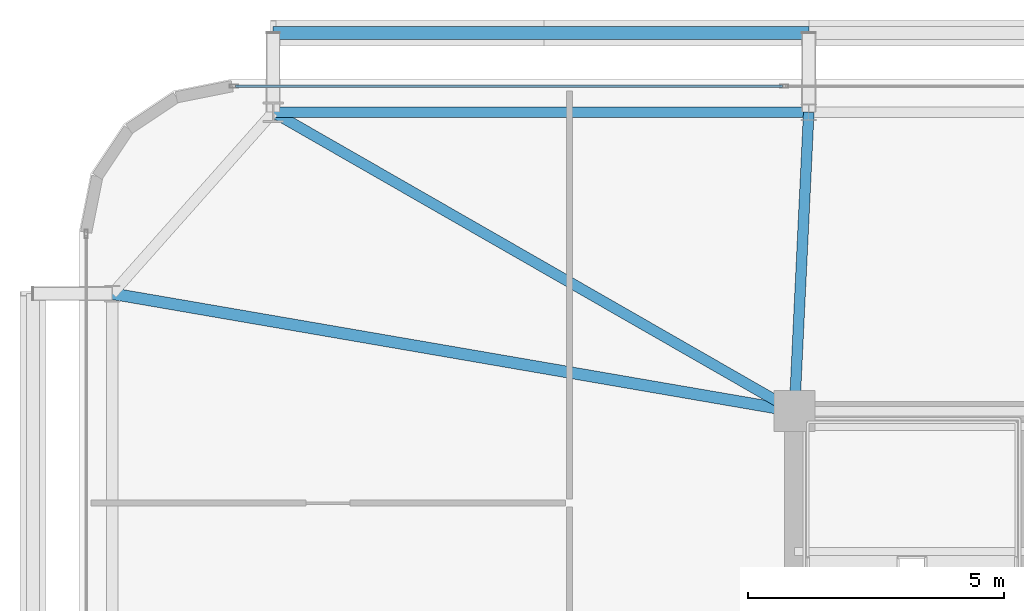
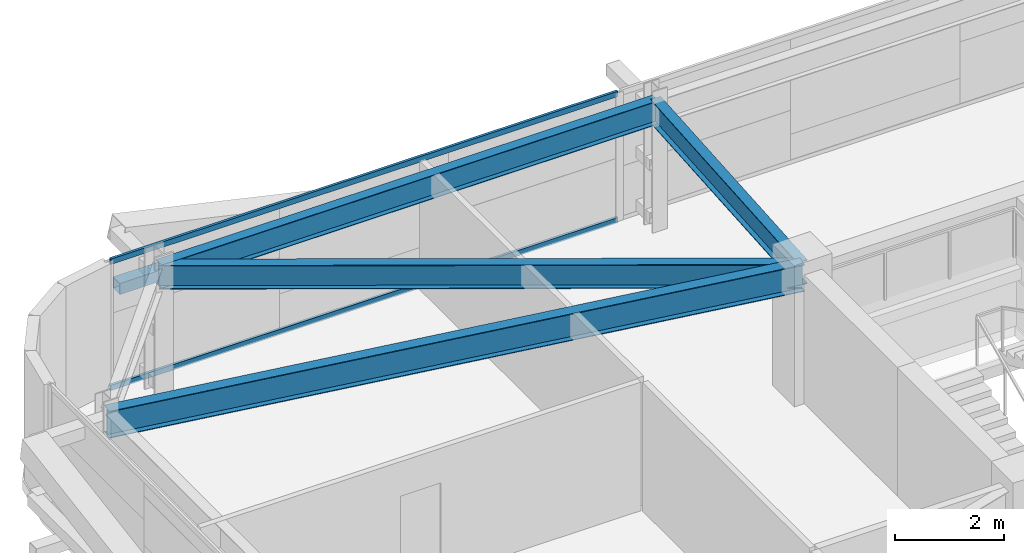
# One storey, part 22 of 45: 4 beams, 3 members, 1 element without a shape of its own.
"""IFC4 building model written with IfcOpenShell, lengths in metres."""

from ifc_helpers import new_model, si_unit, direction, frame, origin, origin_2d, place, context, subcontext, project, spatial, hollow_rectangle, i_section, extrude, source, transform, mapped, material, layer, layer_set, material_profile, profile_set, type_object, element, aggregate, save


model = new_model("IFC4")

# Units and contexts
model_context = context("Model", 3, precision=1e-05, world=origin(), true_north=direction((0.0, 1.0)))
body_context = subcontext(model_context, "Body", "Model", "MODEL_VIEW")
ifc_project = project(units=[si_unit("LENGTHUNIT", "METRE"), si_unit("AREAUNIT", "SQUARE_METRE"), si_unit("VOLUMEUNIT", "CUBIC_METRE"), si_unit("PLANEANGLEUNIT", "RADIAN"), si_unit("MASSUNIT", "GRAM", prefix="KILO")], contexts=[model_context])

# Site, building, storey
site_placement = place(None, origin())
site = spatial("IfcSite", under=ifc_project, at=site_placement, CompositionType="ELEMENT")
building_placement = place(site_placement, origin())
building = spatial("IfcBuilding", under=site, at=building_placement, Name="Taldren Reach Tower", CompositionType="ELEMENT")
storey_placement = place(building_placement, frame((0.0, 0.0, 57.75)))
storey = spatial("IfcBuildingStorey", under=building, at=storey_placement, Name="L17", CompositionType="ELEMENT", Elevation=57.75)

# Beams
ifc_material_1 = material(Name="Steel Gr 350 (350PLUS)", Category="steel")
ifc_material_profile_1 = material_profile(ifc_material_1, i_section(OverallWidth=0.208984375, OverallDepth=0.528076171875, WebThickness=0.009521484375, FlangeThickness=0.01318359375, at=origin_2d()), Name="530UB82.0")
ifc_profile_set_1 = profile_set([ifc_material_profile_1], Name="Steel Gr 350 (350PLUS)")
beam_type_1 = type_object("IfcBeamType", Name="SP-UB530B", PredefinedType="SPANDREL", material=ifc_profile_set_1)
shared_shape_1 = source(origin(), body_context, "Body", "SweptSolid", [
    extrude(i_section(OverallWidth=0.208984375, OverallDepth=0.528076171875, WebThickness=0.009521484375, FlangeThickness=0.01318359375, at=origin_2d()), origin(), (0.0, 0.0, 1.0), 10.47998046875),
])
beam_1_placement = place(storey_placement, frame((19.280029296875, 37.85009765625, 2.60595703125), z_axis=(-1.0, 0.0, 0.0), x_axis=(0.0, -1.0, 0.0)))
element("IfcBeam", 1, at=beam_1_placement, inside=storey, type_object=beam_type_1, Name="Perimeter spandrel B1 N2-N1 L17", PredefinedType="SPANDREL", context=body_context, shape_type="MappedRepresentation", body=[
    mapped(shared_shape_1, transform((0.0, 0.0, 0.0), scale=1.0)),
])
ifc_material_profile_2 = material_profile(ifc_material_1, i_section(OverallWidth=0.22802734375, OverallDepth=0.60205078125, WebThickness=0.010498046875, FlangeThickness=0.014892578125, at=origin_2d()), Name="610UB101")
ifc_profile_set_2 = profile_set([ifc_material_profile_2], Name="Steel Gr 350 (350PLUS)")
beam_type_2 = type_object("IfcBeamType", Name="BM-UB610B", PredefinedType="BEAM", material=ifc_profile_set_2)
shared_shape_2 = source(origin(), body_context, "Body", "SweptSolid", [
    extrude(i_section(OverallWidth=0.22802734375, OverallDepth=0.60205078125, WebThickness=0.010498046875, FlangeThickness=0.014892578125, at=origin_2d()), origin(), (0.0, 0.0, 1.0), 13.546875),
])
beam_2_placement = place(storey_placement, frame((19.0, 32.0, 2.569091796875), z_axis=(-0.985481022998, 0.169785609847, 0.0), x_axis=(-0.169785609847, -0.985481022998, 0.0)))
element("IfcBeam", 2, at=beam_2_placement, inside=storey, type_object=beam_type_2, Name="Primary floor girder B1-W3 L17", PredefinedType="BEAM", context=body_context, shape_type="MappedRepresentation", body=[
    mapped(shared_shape_2, transform((0.0, 0.0, 0.0), scale=1.0)),
])
ifc_material_profile_3 = material_profile(ifc_material_1, i_section(OverallWidth=0.208984375, OverallDepth=0.532958984375, WebThickness=0.01025390625, FlangeThickness=0.015625, at=origin_2d()), Name="530UB92.4")
ifc_profile_set_3 = profile_set([ifc_material_profile_3], Name="Steel Gr 350 (350PLUS)")
beam_type_3 = type_object("IfcBeamType", Name="BM-UB530A", PredefinedType="BEAM", material=ifc_profile_set_3)
shared_shape_3 = source(origin(), body_context, "Body", "SweptSolid", [
    extrude(i_section(OverallWidth=0.208984375, OverallDepth=0.532958984375, WebThickness=0.01025390625, FlangeThickness=0.015625, at=origin_2d()), origin(), (0.0, 0.0, 1.0), 11.758544921875),
])
beam_3_placement = place(storey_placement, frame((19.0, 32.0, 2.603515625), z_axis=(-0.867452414141, 0.497520159593, 0.0), x_axis=(-0.497520159593, -0.867452414141, 0.0)))
element("IfcBeam", 3, at=beam_3_placement, inside=storey, type_object=beam_type_3, Name="Primary floor girder B1-N1 L17", PredefinedType="BEAM", context=body_context, shape_type="MappedRepresentation", body=[
    mapped(shared_shape_3, transform((0.0, 0.0, 0.0), scale=1.0)),
])
shared_shape_4 = source(origin(), body_context, "Body", "SweptSolid", [
    extrude(i_section(OverallWidth=0.208984375, OverallDepth=0.532958984375, WebThickness=0.01025390625, FlangeThickness=0.015625, at=origin_2d()), origin(), (0.0, 0.0, 1.0), 5.856689453125),
])
beam_4_placement = place(storey_placement, frame((19.0, 32.0, 2.603515625), z_axis=(0.047812711672, 0.998856318297, 0.0), x_axis=(-0.998856318297, 0.047812711672, 0.0)))
element("IfcBeam", 4, at=beam_4_placement, inside=storey, type_object=beam_type_3, Name="Primary floor girder B1-N2 L17", PredefinedType="BEAM", context=body_context, shape_type="MappedRepresentation", body=[
    mapped(shared_shape_4, transform((0.0, 0.0, 0.0), scale=1.0)),
])

# Member
ifc_material_2 = material(Name="Steel Gr 350 (C350L0)", Category="steel")
ifc_material_profile_4 = material_profile(ifc_material_2, hollow_rectangle(XDim=0.25, YDim=0.25, WallThickness=0.010009765625, at=origin_2d()), Name="250x250x10.0SHS")
ifc_profile_set_4 = profile_set([ifc_material_profile_4], Name="Steel Gr 350 (C350L0)")
member_type_1 = type_object("IfcMemberType", Name="MB-POST250", PredefinedType="POST", material=ifc_profile_set_4)
shared_shape_5 = source(origin(), body_context, "Body", "SweptSolid", [
    extrude(hollow_rectangle(XDim=0.25, YDim=0.25, WallThickness=0.010009765625, at=origin_2d()), origin(), (0.0, 0.0, 1.0), 10.47998046875),
])
member_1_placement = place(storey_placement, frame((8.800048828125, 39.39990234375, 1.405029296875), z_axis=(1.0, 0.0, 0.0), x_axis=(0.0, 1.0, 0.0)))
element("IfcMember", 5, at=member_1_placement, inside=storey, type_object=member_type_1, Name="Exoskeleton mid-height ring chord B1-N1 L17", PredefinedType="POST", context=body_context, shape_type="MappedRepresentation", body=[
    mapped(shared_shape_5, transform((0.0, 0.0, 0.0), scale=1.0)),
])

# Curtain wall, members
ifc_material_3 = material(Name="Aluminium and Low-E Glass Unitised System", Category="aluminium")
ifc_layer = layer(ifc_material_3, 0.159912109375)
ifc_layer_set = layer_set([ifc_layer], Name="Aluminium and Low-E Glass Unitised System")
curtain_wall_type = type_object("IfcCurtainWallType", Name="CW-SYS-2", PredefinedType="NOTDEFINED", material=ifc_layer_set)
curtain_wall_placement = place(storey_placement, origin())
curtain_wall = element("IfcCurtainWall", 6, at=curtain_wall_placement, inside=storey, type_object=curtain_wall_type, Name="Unitised curtain wall CW-L17-N", PredefinedType="NOTDEFINED")
ifc_material_4 = material(Name="Anodised Aluminium 6063-T6", Category="aluminium")
ifc_material_profile_5 = material_profile(ifc_material_4, hollow_rectangle(XDim=0.054931640625, YDim=0.1201171875, WallThickness=0.0029296875, at=origin_2d()), Name="ALU-120x55x3RHS")
ifc_profile_set_5 = profile_set([ifc_material_profile_5], Name="Anodised Aluminium 6063-T6")
member_type_2 = type_object("IfcMemberType", Name="CW-TRN-135", PredefinedType="USERDEFINED", material=ifc_profile_set_5)
shared_shape_6 = source(origin(), body_context, "Body", "SweptSolid", [
    extrude(hollow_rectangle(XDim=0.054931640625, YDim=0.1201171875, WallThickness=0.0029296875, at=origin_2d()), origin(), (0.0, 0.0, 1.0), 10.70263671875),
])
member_2_placement = place(storey_placement, frame((18.767578125, 38.360107421875, 0.027587890625), z_axis=(-1.0, 0.0, 0.0), x_axis=(0.0, -1.0, 0.0)))
member_2 = element("IfcMember", 7, at=member_2_placement, type_object=member_type_2, Name="CW-2 transom 5.1", ObjectType="TRANSOM", PredefinedType="USERDEFINED", context=body_context, shape_type="MappedRepresentation", body=[
    mapped(shared_shape_6, transform((0.0, 0.0, 0.0), scale=1.0)),
])
member_3_placement = place(storey_placement, frame((18.767578125, 38.360107421875, 2.842529296875), z_axis=(-1.0, 0.0, 0.0), x_axis=(0.0, -1.0, 0.0)))
member_3 = element("IfcMember", 8, at=member_3_placement, type_object=member_type_2, Name="CW-2 transom 5.2", ObjectType="TRANSOM", PredefinedType="USERDEFINED", context=body_context, shape_type="MappedRepresentation", body=[
    mapped(shared_shape_6, transform((0.0, 0.0, 0.0), scale=1.0)),
])
aggregate(curtain_wall, [member_2, member_3])

save(model, "model.ifc")
